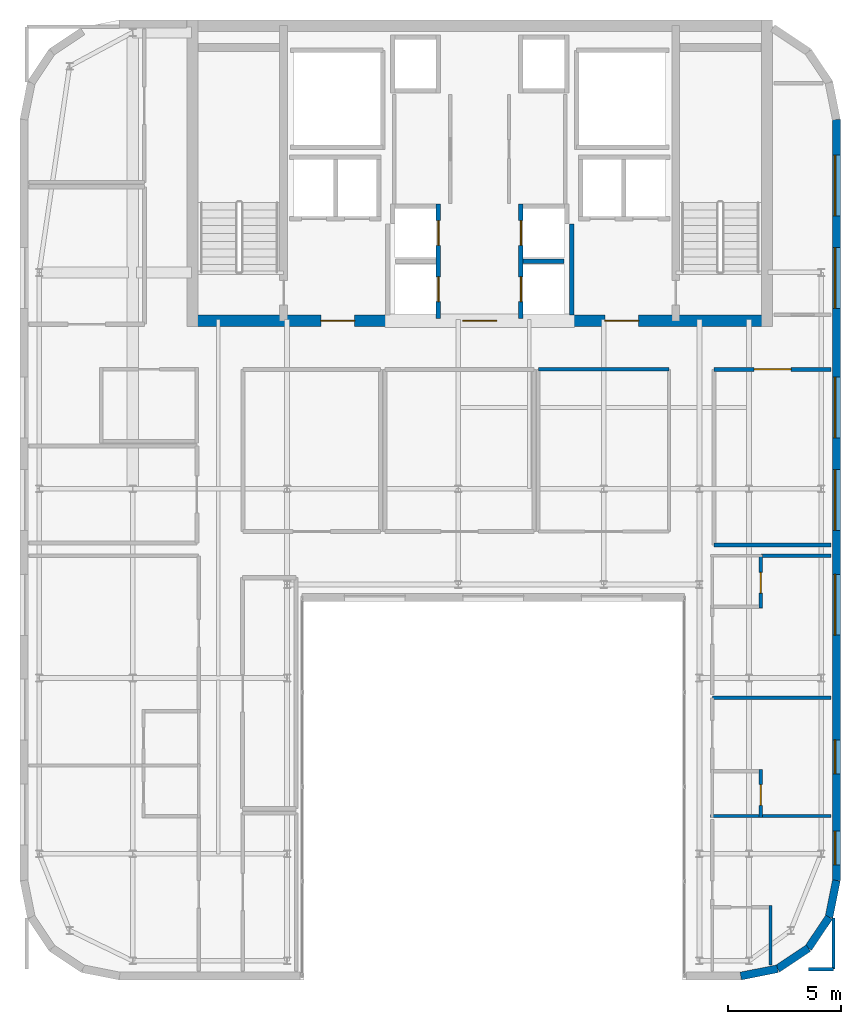
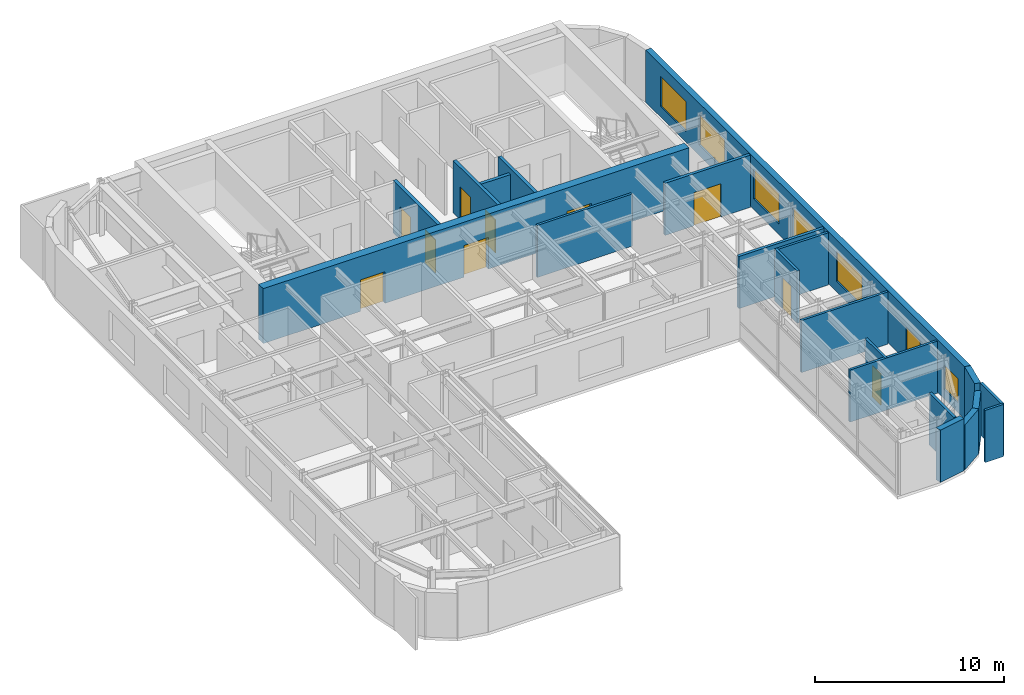
# One storey, part 15 of 18: 21 walls, 10 doors, 7 windows, 17 openings.
"""IFC4 building model written with IfcOpenShell, lengths in metres."""

import ifcopenshell
import ifcopenshell.guid

model = None  # the IFC model being written
_history = None  # IfcOwnerHistory: only IFC2X3 demands one
_inside = {}  # id of a spatial element -> (the spatial element, [elements in it])
_under = {}  # id of a project, library or spatial element -> (it, [spatial elements below it])
_declared = {}  # id of a project -> (the project, [libraries it declares])
_typed = {}  # id of a type object -> (the type object, [elements of that type])
_made_of = {}  # id of a material, layer set ... -> (it, [elements and type objects made of it])


def new_model(schema):
    """Start an empty IFC model of exactly this schema.

    Asked for "IFC4X3", IfcOpenShell would pick the latest addendum, in which some entities
    have other attributes; the version numbers below select the first issue.
    IFC2X3 requires an IfcOwnerHistory on every rooted entity: one is made here for all.
    """
    global model, _history
    if schema == "IFC4X3":
        model = ifcopenshell.file(schema_version=(4, 3, 0, 0))
    else:
        model = ifcopenshell.file(schema=schema)
    _inside.clear()
    _under.clear()
    _declared.clear()
    _typed.clear()
    _made_of.clear()
    _history = None
    if model.schema == "IFC2X3":
        org = make("IfcOrganization", Name="unknown")
        user = make(
            "IfcPersonAndOrganization",
            ThePerson=make("IfcPerson", FamilyName="unknown"),
            TheOrganization=org,
        )
        app = make(
            "IfcApplication",
            ApplicationDeveloper=org,
            Version="unknown",
            ApplicationFullName="unknown",
            ApplicationIdentifier="unknown",
        )
        _history = make(
            "IfcOwnerHistory",
            OwningUser=user,
            OwningApplication=app,
            ChangeAction="ADDED",
            CreationDate=0,
        )
    return model


def make(cls, **values):
    """One entity of the class cls with the attributes given. An attribute that is None is left unset."""
    return model.create_entity(
        cls, **{name: value for name, value in values.items() if value is not None}
    )


def rooted(cls, **values):
    """An entity with a GlobalId (a new one), such as an element, a storey or a relation."""
    return make(cls, GlobalId=ifcopenshell.guid.new(), OwnerHistory=_history, **values)


def si_unit(unit_type, name, prefix=None):
    """IfcSIUnit, for example si_unit("LENGTHUNIT", "METRE", prefix="MILLI")."""
    return make("IfcSIUnit", UnitType=unit_type, Prefix=prefix, Name=name)


def assignment(units):
    """IfcUnitAssignment: the units of a project."""
    return None if units is None else make("IfcUnitAssignment", Units=units)


def point(xyz):
    """IfcCartesianPoint."""
    return None if xyz is None else make("IfcCartesianPoint", Coordinates=xyz)


def direction(xyz):
    """IfcDirection."""
    return None if xyz is None else make("IfcDirection", DirectionRatios=xyz)


def frame(location, z_axis=None, x_axis=None):
    """IfcAxis2Placement3D, a coordinate frame: its origin and axes. An axis left out is left unset."""
    return make(
        "IfcAxis2Placement3D",
        Location=point(location),
        Axis=direction(z_axis),
        RefDirection=direction(x_axis),
    )


def frame_2d(location, x_axis=None):
    """IfcAxis2Placement2D, a coordinate frame in the plane: its origin and x axis."""
    return make(
        "IfcAxis2Placement2D", Location=point(location), RefDirection=direction(x_axis)
    )


def origin():
    """The frame at (0, 0, 0) with its axes left unset."""
    return frame((0.0, 0.0, 0.0))


def place(relative_to, where):
    """IfcLocalPlacement: puts the frame where relative to a parent placement (None: the world)."""
    return make(
        "IfcLocalPlacement", PlacementRelTo=relative_to, RelativePlacement=where
    )


def context(
    kind, dimensions, precision=None, world=None, true_north=None, identifier=None
):
    """IfcGeometricRepresentationContext, for example the 3D "Model" context."""
    return make(
        "IfcGeometricRepresentationContext",
        ContextIdentifier=identifier,
        ContextType=kind,
        CoordinateSpaceDimension=dimensions,
        Precision=precision,
        WorldCoordinateSystem=world,
        TrueNorth=true_north,
    )


def subcontext(parent, identifier, kind, view, scale=None):
    """IfcGeometricRepresentationSubContext, for example "Body" below "Model"."""
    return make(
        "IfcGeometricRepresentationSubContext",
        ContextIdentifier=identifier,
        ContextType=kind,
        ParentContext=parent,
        TargetScale=scale,
        TargetView=view,
    )


def project(units=None, contexts=None):
    """IfcProject with its units and contexts."""
    return rooted(
        "IfcProject",
        Name="project",
        RepresentationContexts=contexts,
        UnitsInContext=assignment(units),
    )


def spatial(cls, under=None, at=None, **own):
    """A site, building, storey or space (cls), placed at a placement, below another one or the project."""
    s = rooted(cls, ObjectPlacement=at, **own)
    if under is not None:
        _under.setdefault(under.id(), (under, []))[1].append(s)
    return s


def profile(cls, at=None, kind="AREA", **sizes):
    """A parametric profile (cls). Its sizes go by their IFC names, for example OverallWidth=200.0."""
    return make(cls, ProfileType=kind, Position=at, **sizes)


def rectangle(**sizes):
    """IfcRectangleProfileDef."""
    return profile("IfcRectangleProfileDef", **sizes)


def extrude(swept, where, along, depth):
    """IfcExtrudedAreaSolid: the profile swept, set in the frame where, extruded along a direction by depth."""
    return make(
        "IfcExtrudedAreaSolid",
        SweptArea=swept,
        Position=where,
        ExtrudedDirection=direction(along),
        Depth=depth,
    )


def shape(context_of_items, identifier, shape_type, items):
    """IfcShapeRepresentation: the items that make up one representation, for example the "Body"."""
    return make(
        "IfcShapeRepresentation",
        ContextOfItems=context_of_items,
        RepresentationIdentifier=identifier,
        RepresentationType=shape_type,
        Items=items,
    )


def source(mapping_origin, context_of_items, identifier, shape_type, items):
    """IfcRepresentationMap: a shape defined once, which mapped items show again and again."""
    return make(
        "IfcRepresentationMap",
        MappingOrigin=mapping_origin,
        MappedRepresentation=shape(context_of_items, identifier, shape_type, items),
    )


def transform(
    local_origin,
    x_axis=None,
    y_axis=None,
    z_axis=None,
    scale=None,
    scale2=None,
    scale3=None,
    uniform=True,
):
    """IfcCartesianTransformationOperator3D, or its non-uniform kind. x_axis, y_axis, z_axis: its Axis1, 2, 3."""
    if uniform:
        return make(
            "IfcCartesianTransformationOperator3D",
            Axis1=direction(x_axis),
            Axis2=direction(y_axis),
            LocalOrigin=point(local_origin),
            Scale=scale,
            Axis3=direction(z_axis),
        )
    return make(
        "IfcCartesianTransformationOperator3DnonUniform",
        Axis1=direction(x_axis),
        Axis2=direction(y_axis),
        LocalOrigin=point(local_origin),
        Scale=scale,
        Axis3=direction(z_axis),
        Scale2=scale2,
        Scale3=scale3,
    )


def mapped(mapping_source, mapping_target):
    """IfcMappedItem: shows the shape of a source again, moved by a transform."""
    return make(
        "IfcMappedItem", MappingSource=mapping_source, MappingTarget=mapping_target
    )


def material(Name=None, Category=None):
    """IfcMaterial."""
    return make("IfcMaterial", Name=Name, Category=Category)


def layer(
    of_material, thickness, ventilated=None, Name=None, Category=None, Priority=None
):
    """IfcMaterialLayer: one layer of a wall or slab, of a material (None: an air gap)."""
    return make(
        "IfcMaterialLayer",
        Material=of_material,
        LayerThickness=thickness,
        IsVentilated=ventilated,
        Name=Name,
        Category=Category,
        Priority=Priority,
    )


def layer_set(layers, Name=None):
    """IfcMaterialLayerSet."""
    return make("IfcMaterialLayerSet", MaterialLayers=layers, LayerSetName=Name)


def made_of(thing, what):
    """Note that an element or type object is made of a material, layer set ...; save() writes the relation."""
    if what is not None:
        _made_of.setdefault(what.id(), (what, []))[1].append(thing)
    return thing


def type_object(cls, material=None, **own):
    """A type object (cls), such as IfcWallType, which elements share."""
    return made_of(rooted(cls, **own), material)


def type_shapes(of_type, sources):
    """Give a type object the sources (RepresentationMaps) that its elements show as mapped items."""
    of_type.RepresentationMaps = sources


def element(
    cls,
    number,
    at=None,
    inside=None,
    cuts=None,
    type_object=None,
    material=None,
    context=None,
    identifier="Body",
    shape_type=None,
    held_by="IfcProductDefinitionShape",
    body=None,
    shapes=None,
    **own,
):
    """One element of the class cls, such as IfcWall. Its Tag is "e" and its number.

    at: its placement. inside: the storey or other place that contains it. cuts: it is an
    opening in that element (IfcRelVoidsElement). A single representation is given by context,
    identifier, shape_type and body (its items); several are given by shapes. held_by: the class
    of the entity that holds the representations. save() writes the other relations.
    """
    e = rooted(cls, Tag="e%d" % number, ObjectPlacement=at, **own)
    if body is not None:
        shapes = [shape(context, identifier, shape_type, body)]
    if shapes is not None:
        e.Representation = make(held_by, Representations=shapes)
    if inside is not None:
        _inside.setdefault(inside.id(), (inside, []))[1].append(e)
    if cuts is not None:
        rooted(
            "IfcRelVoidsElement", RelatingBuildingElement=cuts, RelatedOpeningElement=e
        )
    if type_object is not None:
        _typed.setdefault(type_object.id(), (type_object, []))[1].append(e)
    return made_of(e, material)


def fill(opening, filler):
    """IfcRelFillsElement: the door or window that sits in an opening."""
    return rooted(
        "IfcRelFillsElement",
        RelatingOpeningElement=opening,
        RelatedBuildingElement=filler,
    )


def aggregate(whole, parts):
    """IfcRelAggregates: a whole, such as a stair, and the parts it consists of."""
    return rooted("IfcRelAggregates", RelatingObject=whole, RelatedObjects=parts)


def save(model, path):
    """Write the relations noted so far, then the file.

    IfcRelAggregates (storeys below a building ...), IfcRelContainedInSpatialStructure (elements
    in a storey), IfcRelDefinesByType, IfcRelAssociatesMaterial and IfcRelDeclares: one each for
    every whole, place, type object, material and project.
    """
    for whole, parts in _under.values():
        aggregate(whole, parts)
    for where, things in _inside.values():
        rooted(
            "IfcRelContainedInSpatialStructure",
            RelatedElements=things,
            RelatingStructure=where,
        )
    for kind, things in _typed.values():
        rooted("IfcRelDefinesByType", RelatedObjects=things, RelatingType=kind)
    for what, things in _made_of.values():
        rooted("IfcRelAssociatesMaterial", RelatedObjects=things, RelatingMaterial=what)
    for by, libraries in _declared.values():
        rooted("IfcRelDeclares", RelatingContext=by, RelatedDefinitions=libraries)
    model.write(path)


model = new_model("IFC4")

# Units and contexts
model_context = context("Model", 3, precision=1e-05, world=origin(), true_north=direction((0.0, 1.0)))
body_context = subcontext(model_context, "Body", "Model", "MODEL_VIEW")
ifc_project = project(units=[si_unit("LENGTHUNIT", "METRE"), si_unit("AREAUNIT", "SQUARE_METRE"), si_unit("VOLUMEUNIT", "CUBIC_METRE"), si_unit("PLANEANGLEUNIT", "RADIAN"), si_unit("MASSUNIT", "GRAM", prefix="KILO")], contexts=[model_context])

# Site, building, storey
site_placement = place(None, origin())
site = spatial("IfcSite", under=ifc_project, at=site_placement, CompositionType="ELEMENT")
building_placement = place(site_placement, origin())
building = spatial("IfcBuilding", under=site, at=building_placement, Name="Tolvann Quenvar Hotel", CompositionType="ELEMENT")
storey_placement = place(building_placement, frame((0.0, 0.0, 259.39990234375)))
storey = spatial("IfcBuildingStorey", under=building, at=storey_placement, Name="L69", CompositionType="ELEMENT", Elevation=259.39990234375)

# Wall, openings, doors
ifc_material_1 = material(Name="Concrete N50 (50 MPa)", Category="concrete")
ifc_layer_1 = layer(ifc_material_1, 0.5)
ifc_layer_set_1 = layer_set([ifc_layer_1], Name="Concrete N50 (50 MPa)")
wall_type_1 = type_object("IfcWallType", Name="WALL_CORE_500", PredefinedType="SHEAR", material=ifc_layer_set_1)
wall_1_placement = place(storey_placement, frame((10.0, 31.85009765625, 0.0), z_axis=(0.0, 0.0, 1.0), x_axis=(1.0, 0.0, 0.0)))
wall_1 = element("IfcWall", 1, at=wall_1_placement, inside=storey, type_object=wall_type_1, Name="Rear Core S Shear Wall (L69)", PredefinedType="SHEAR", context=body_context, shape_type="SweptSolid", body=[
    extrude(rectangle(XDim=26.0, YDim=0.5, at=frame_2d((13.0, 0.0))), origin(), (0.0, 0.0, 1.0), 3.550048828125),
])
opening_1_placement = place(wall_1_placement, frame((7.449951171875, 0.0, 0.0), z_axis=(0.0, 0.0, 1.0), x_axis=(-1.0, 0.0, 0.0)))
opening_1 = element("IfcOpeningElement", 2, at=opening_1_placement, cuts=wall_1, Name="Opening FD-60D", PredefinedType="OPENING", context=body_context, shape_type="SweptSolid", body=[
    extrude(rectangle(XDim=1.5, YDim=2.0400390625, at=frame_2d((0.75, 1.02001953125))), frame((0.0, 0.260009765625, 0.0), z_axis=(0.0, -1.0, 0.0), x_axis=(1.0, 0.0, 0.0)), (0.0, 0.0, 1.0), 0.52001953125),
])
opening_2_placement = place(wall_1_placement, frame((13.75, 0.0, 0.0), z_axis=(0.0, 0.0, 1.0), x_axis=(-1.0, 0.0, 0.0)))
opening_2 = element("IfcOpeningElement", 3, at=opening_2_placement, cuts=wall_1, Name="Opening FD-60D", PredefinedType="OPENING", context=body_context, shape_type="SweptSolid", body=[
    extrude(rectangle(XDim=1.5, YDim=2.0400390625, at=frame_2d((0.75, 1.02001953125))), frame((0.0, 0.260009765625, 0.0), z_axis=(0.0, -1.0, 0.0), x_axis=(1.0, 0.0, 0.0)), (0.0, 0.0, 1.0), 0.52001953125),
])
opening_3_placement = place(wall_1_placement, frame((20.050048828125, 0.0, 0.0), z_axis=(0.0, 0.0, 1.0), x_axis=(-1.0, 0.0, 0.0)))
opening_3 = element("IfcOpeningElement", 4, at=opening_3_placement, cuts=wall_1, Name="Opening FD-60D", PredefinedType="OPENING", context=body_context, shape_type="SweptSolid", body=[
    extrude(rectangle(XDim=1.5, YDim=2.0400390625, at=frame_2d((0.75, 1.02001953125))), frame((0.0, 0.260009765625, 0.0), z_axis=(0.0, -1.0, 0.0), x_axis=(1.0, 0.0, 0.0)), (0.0, 0.0, 1.0), 0.52001953125),
])
ifc_material_2 = material(Name="Solid-core American oak acoustic fire door leaf in steel frame", Category="steel")
door_type_1 = type_object("IfcDoorType", Name="DOOR_FIRE_LOBBY_1500", OperationType="NOTDEFINED", PredefinedType="DOOR", material=ifc_material_2)
shared_shape_1 = source(origin(), body_context, "Body", "SweptSolid", [
    extrude(rectangle(XDim=1.5, YDim=2.0400390625, at=frame_2d((0.75, 1.02001953125))), frame((0.0, 0.02490234375, 0.0), z_axis=(0.0, -1.0, 0.0), x_axis=(1.0, 0.0, 0.0)), (0.0, 0.0, 1.0), 0.050048828125),
])
type_shapes(door_type_1, [shared_shape_1])
door_1_placement = place(opening_1_placement, origin())
door_1 = element("IfcDoor", 5, at=door_1_placement, inside=storey, type_object=door_type_1, Name="Core Lobby Fire Door FFW (L69)", OperationType="DOUBLE_DOOR_SINGLE_SWING", OverallHeight=2.0400390625, OverallWidth=1.5, PredefinedType="DOOR", context=body_context, shape_type="MappedRepresentation", body=[
    mapped(shared_shape_1, transform((0.0, 0.0, 0.0), x_axis=(1.0, 0.0, 0.0), y_axis=(0.0, 1.0, 0.0), z_axis=(0.0, 0.0, 1.0), scale=1.0)),
])
fill(opening_1, door_1)
door_2_placement = place(opening_2_placement, origin())
door_2 = element("IfcDoor", 6, at=door_2_placement, inside=storey, type_object=door_type_1, Name="Core Lobby Fire Door CLOB (L69)", OperationType="DOUBLE_DOOR_SINGLE_SWING", OverallHeight=2.0400390625, OverallWidth=1.5, PredefinedType="DOOR", context=body_context, shape_type="MappedRepresentation", body=[
    mapped(shared_shape_1, transform((0.0, 0.0, 0.0), x_axis=(1.0, 0.0, 0.0), y_axis=(0.0, 1.0, 0.0), z_axis=(0.0, 0.0, 1.0), scale=1.0)),
])
fill(opening_2, door_2)
door_3_placement = place(opening_3_placement, origin())
door_3 = element("IfcDoor", 7, at=door_3_placement, inside=storey, type_object=door_type_1, Name="Core Lobby Fire Door FFE (L69)", OperationType="DOUBLE_DOOR_SINGLE_SWING", OverallHeight=2.0400390625, OverallWidth=1.5, PredefinedType="DOOR", context=body_context, shape_type="MappedRepresentation", body=[
    mapped(shared_shape_1, transform((0.0, 0.0, 0.0), x_axis=(1.0, 0.0, 0.0), y_axis=(0.0, 1.0, 0.0), z_axis=(0.0, 0.0, 1.0), scale=1.0)),
])
fill(opening_3, door_3)

# Walls
ifc_material_3 = material(Name="Kiln-fired red and buff architectural clay brickwork and terracotta masonry", Category="masonry")
ifc_layer_2 = layer(ifc_material_3, 0.35009765625)
ifc_layer_set_2 = layer_set([ifc_layer_2], Name="Kiln-fired red and buff architectural clay brickwork and terracotta masonry")
wall_type_2 = type_object("IfcWallType", Name="WALL_EXT_BRICK_350", PredefinedType="SOLIDWALL", material=ifc_layer_set_2)
wall_2_placement = place(storey_placement, frame((34.582763671875, 2.77490234375, 0.0), z_axis=(0.0, 0.0, 1.0), x_axis=(0.980794424524, 0.195044345786, 0.0)))
element("IfcWall", 8, at=wall_2_placement, inside=storey, type_object=wall_type_2, Name="Exterior Chicago Brick Wall L69-E09", PredefinedType="SOLIDWALL", context=body_context, shape_type="SweptSolid", body=[
    extrude(rectangle(XDim=1.664794921875, YDim=0.35009765625, at=frame_2d((0.83251953125, 0.0))), origin(), (0.0, 0.0, 1.0), 3.3701171875),
])
for number, where, z_axis, x_axis, name in (
    (9, (36.215576171875, 3.099609375, 0.0), (0.0, 0.0, 1.0), (0.831434158098, 0.555623290322, 0.0), "Exterior Chicago Brick Wall L69-E10"),
    (10, (37.585205078125, 4.014892578125, 0.0), (0.0, 0.0, 1.0), (0.555520825599, 0.831502623162, 0.0), "Exterior Chicago Brick Wall L69-E11"),
):
    element("IfcWall", number, at=place(storey_placement, frame(where, z_axis=z_axis, x_axis=x_axis)), inside=storey, type_object=wall_type_2, Name=name, PredefinedType="SOLIDWALL", context=body_context, shape_type="SweptSolid", body=[
        extrude(rectangle(XDim=1.647216796875, YDim=0.35009765625, at=frame_2d((0.82373046875, 0.0))), origin(), (0.0, 0.0, 1.0), 2.900146484375),
    ])
wall_3_placement = place(storey_placement, frame((38.500244140625, 5.384521484375, 0.0), z_axis=(0.0, 0.0, 1.0), x_axis=(0.195072403631, 0.980788844421, 0.0)))
element("IfcWall", 11, at=wall_3_placement, inside=storey, type_object=wall_type_2, Name="Exterior Chicago Brick Wall L69-E12", PredefinedType="SOLIDWALL", context=body_context, shape_type="SweptSolid", body=[
    extrude(rectangle(XDim=1.66455078125, YDim=0.35009765625, at=frame_2d((0.832275390625, 0.0))), origin(), (0.0, 0.0, 1.0), 3.3701171875),
])

# Wall, openings, windows
wall_4_placement = place(storey_placement, frame((38.824951171875, 7.01708984375, 0.0), z_axis=(0.0, 0.0, 1.0), x_axis=(0.0, 1.0, 0.0)))
wall_4 = element("IfcWall", 12, at=wall_4_placement, inside=storey, type_object=wall_type_2, Name="Exterior Chicago Brick Wall L69-E13", PredefinedType="SOLIDWALL", context=body_context, shape_type="SweptSolid", body=[
    extrude(rectangle(XDim=33.765625, YDim=0.35009765625, at=frame_2d((16.8828125, 0.0))), origin(), (0.0, 0.0, 1.0), 3.3701171875),
])
opening_4_placement = place(wall_4_placement, frame((10.881103515625, 0.0, 0.679931640625)))
opening_4 = element("IfcOpeningElement", 13, at=opening_4_placement, cuts=wall_4, Name="Opening W-04", PredefinedType="OPENING", context=body_context, shape_type="SweptSolid", body=[
    extrude(rectangle(XDim=2.699951171875, YDim=1.949951171875, at=frame_2d((1.35009765625, 0.97509765625))), frame((0.0, 0.18505859375, 0.0), z_axis=(0.0, -1.0, 0.0), x_axis=(1.0, 0.0, 0.0)), (0.0, 0.0, 1.0), 0.3701171875),
])
opening_5_placement = place(wall_4_placement, frame((15.532958984375, 0.0, 0.679931640625)))
opening_5 = element("IfcOpeningElement", 14, at=opening_5_placement, cuts=wall_4, Name="Opening W-04", PredefinedType="OPENING", context=body_context, shape_type="SweptSolid", body=[
    extrude(rectangle(XDim=2.699951171875, YDim=1.949951171875, at=frame_2d((1.35009765625, 0.97509765625))), frame((0.0, 0.18505859375, 0.0), z_axis=(0.0, -1.0, 0.0), x_axis=(1.0, 0.0, 0.0)), (0.0, 0.0, 1.0), 0.3701171875),
])
opening_6_placement = place(wall_4_placement, frame((19.635009765625, 0.0, 0.679931640625)))
opening_6 = element("IfcOpeningElement", 15, at=opening_6_placement, cuts=wall_4, Name="Opening W-04", PredefinedType="OPENING", context=body_context, shape_type="SweptSolid", body=[
    extrude(rectangle(XDim=2.699951171875, YDim=1.949951171875, at=frame_2d((1.35009765625, 0.97509765625))), frame((0.0, 0.18505859375, 0.0), z_axis=(0.0, -1.0, 0.0), x_axis=(1.0, 0.0, 0.0)), (0.0, 0.0, 1.0), 0.3701171875),
])
opening_7_placement = place(wall_4_placement, frame((25.386962890625, 0.0, 0.679931640625)))
opening_7 = element("IfcOpeningElement", 16, at=opening_7_placement, cuts=wall_4, Name="Opening W-04", PredefinedType="OPENING", context=body_context, shape_type="SweptSolid", body=[
    extrude(rectangle(XDim=2.699951171875, YDim=1.949951171875, at=frame_2d((1.35009765625, 0.97509765625))), frame((0.0, 0.18505859375, 0.0), z_axis=(0.0, -1.0, 0.0), x_axis=(1.0, 0.0, 0.0)), (0.0, 0.0, 1.0), 0.3701171875),
])
opening_8_placement = place(wall_4_placement, frame((29.489013671875, 0.0, 0.679931640625)))
opening_8 = element("IfcOpeningElement", 17, at=opening_8_placement, cuts=wall_4, Name="Opening W-04", PredefinedType="OPENING", context=body_context, shape_type="SweptSolid", body=[
    extrude(rectangle(XDim=2.699951171875, YDim=1.949951171875, at=frame_2d((1.35009765625, 0.97509765625))), frame((0.0, 0.18505859375, 0.0), z_axis=(0.0, -1.0, 0.0), x_axis=(1.0, 0.0, 0.0)), (0.0, 0.0, 1.0), 0.3701171875),
])
opening_9_placement = place(wall_4_placement, frame((0.68603515625, 0.0, 0.6201171875)))
opening_9 = element("IfcOpeningElement", 18, at=opening_9_placement, cuts=wall_4, Name="Opening W-08", PredefinedType="OPENING", context=body_context, shape_type="SweptSolid", body=[
    extrude(rectangle(XDim=1.5, YDim=1.550048828125, at=frame_2d((0.75, 0.77490234375))), frame((0.0, 0.18505859375, 0.0), z_axis=(0.0, -1.0, 0.0), x_axis=(1.0, 0.0, 0.0)), (0.0, 0.0, 1.0), 0.3701171875),
])
opening_10_placement = place(wall_4_placement, frame((4.73291015625, 0.0, 0.6201171875)))
opening_10 = element("IfcOpeningElement", 19, at=opening_10_placement, cuts=wall_4, Name="Opening W-08", PredefinedType="OPENING", context=body_context, shape_type="SweptSolid", body=[
    extrude(rectangle(XDim=1.5, YDim=1.550048828125, at=frame_2d((0.75, 0.77490234375))), frame((0.0, 0.18505859375, 0.0), z_axis=(0.0, -1.0, 0.0), x_axis=(1.0, 0.0, 0.0)), (0.0, 0.0, 1.0), 0.3701171875),
])
ifc_material_4 = material(Name="Thermally broken bronze-anodised aluminium frame with double low-E glazing", Category="aluminium")
window_type_1 = type_object("IfcWindowType", Name="WIN_COR_1500x2050", PartitioningType="SINGLE_PANEL", PredefinedType="WINDOW", material=ifc_material_4)
shared_shape_2 = source(origin(), body_context, "Body", "SweptSolid", [
    extrude(rectangle(XDim=1.5, YDim=1.550048828125, at=frame_2d((0.75, 0.77490234375))), frame((0.0, 0.090087890625, 0.0), z_axis=(0.0, -1.0, 0.0), x_axis=(1.0, 0.0, 0.0)), (0.0, 0.0, 1.0), 0.06005859375),
])
type_shapes(window_type_1, [shared_shape_2])
window_1_placement = place(opening_9_placement, origin())
window_1 = element("IfcWindow", 20, at=window_1_placement, inside=storey, type_object=window_type_1, Name="Chicago Window W-08 (EW-L69-E13-WD06)", OverallHeight=1.550048828125, OverallWidth=1.5, PartitioningType="SINGLE_PANEL", PredefinedType="WINDOW", context=body_context, shape_type="MappedRepresentation", body=[
    mapped(shared_shape_2, transform((0.0, 0.0, 0.0), x_axis=(1.0, 0.0, 0.0), y_axis=(0.0, 1.0, 0.0), z_axis=(0.0, 0.0, 1.0), scale=1.0)),
])
fill(opening_9, window_1)
window_2_placement = place(opening_10_placement, origin())
window_2 = element("IfcWindow", 21, at=window_2_placement, inside=storey, type_object=window_type_1, Name="Chicago Window W-08 (EW-L69-E13-WD07)", OverallHeight=1.550048828125, OverallWidth=1.5, PartitioningType="SINGLE_PANEL", PredefinedType="WINDOW", context=body_context, shape_type="MappedRepresentation", body=[
    mapped(shared_shape_2, transform((0.0, 0.0, 0.0), x_axis=(1.0, 0.0, 0.0), y_axis=(0.0, 1.0, 0.0), z_axis=(0.0, 0.0, 1.0), scale=1.0)),
])
fill(opening_10, window_2)
window_type_2 = type_object("IfcWindowType", Name="WIN_STE_2700x2150", PartitioningType="TRIPLE_PANEL_HORIZONTAL", PredefinedType="WINDOW", material=ifc_material_4)
shared_shape_3 = source(origin(), body_context, "Body", "SweptSolid", [
    extrude(rectangle(XDim=2.699951171875, YDim=1.949951171875, at=frame_2d((1.35009765625, 0.97509765625))), frame((0.0, 0.090087890625, 0.0), z_axis=(0.0, -1.0, 0.0), x_axis=(1.0, 0.0, 0.0)), (0.0, 0.0, 1.0), 0.06005859375),
])
type_shapes(window_type_2, [shared_shape_3])
window_3_placement = place(opening_4_placement, origin())
window_3 = element("IfcWindow", 22, at=window_3_placement, inside=storey, type_object=window_type_2, Name="Chicago Window W-04 (EW-L69-E13-W01)", OverallHeight=1.949951171875, OverallWidth=2.699951171875, PartitioningType="TRIPLE_PANEL_HORIZONTAL", PredefinedType="WINDOW", context=body_context, shape_type="MappedRepresentation", body=[
    mapped(shared_shape_3, transform((0.0, 0.0, 0.0), x_axis=(1.0, 0.0, 0.0), y_axis=(0.0, 1.0, 0.0), z_axis=(0.0, 0.0, 1.0), scale=1.0)),
])
fill(opening_4, window_3)
window_4_placement = place(opening_5_placement, origin())
window_4 = element("IfcWindow", 23, at=window_4_placement, inside=storey, type_object=window_type_2, Name="Chicago Window W-04 (EW-L69-E13-W02)", OverallHeight=1.949951171875, OverallWidth=2.699951171875, PartitioningType="TRIPLE_PANEL_HORIZONTAL", PredefinedType="WINDOW", context=body_context, shape_type="MappedRepresentation", body=[
    mapped(shared_shape_3, transform((0.0, 0.0, 0.0), x_axis=(1.0, 0.0, 0.0), y_axis=(0.0, 1.0, 0.0), z_axis=(0.0, 0.0, 1.0), scale=1.0)),
])
fill(opening_5, window_4)
window_5_placement = place(opening_6_placement, origin())
window_5 = element("IfcWindow", 24, at=window_5_placement, inside=storey, type_object=window_type_2, Name="Chicago Window W-04 (EW-L69-E13-W03)", OverallHeight=1.949951171875, OverallWidth=2.699951171875, PartitioningType="TRIPLE_PANEL_HORIZONTAL", PredefinedType="WINDOW", context=body_context, shape_type="MappedRepresentation", body=[
    mapped(shared_shape_3, transform((0.0, 0.0, 0.0), x_axis=(1.0, 0.0, 0.0), y_axis=(0.0, 1.0, 0.0), z_axis=(0.0, 0.0, 1.0), scale=1.0)),
])
fill(opening_6, window_5)
window_6_placement = place(opening_7_placement, origin())
window_6 = element("IfcWindow", 25, at=window_6_placement, inside=storey, type_object=window_type_2, Name="Chicago Window W-04 (EW-L69-E13-W04)", OverallHeight=1.949951171875, OverallWidth=2.699951171875, PartitioningType="TRIPLE_PANEL_HORIZONTAL", PredefinedType="WINDOW", context=body_context, shape_type="MappedRepresentation", body=[
    mapped(shared_shape_3, transform((0.0, 0.0, 0.0), x_axis=(1.0, 0.0, 0.0), y_axis=(0.0, 1.0, 0.0), z_axis=(0.0, 0.0, 1.0), scale=1.0)),
])
fill(opening_7, window_6)
window_7_placement = place(opening_8_placement, origin())
window_7 = element("IfcWindow", 26, at=window_7_placement, inside=storey, type_object=window_type_2, Name="Chicago Window W-04 (EW-L69-E13-W05)", OverallHeight=1.949951171875, OverallWidth=2.699951171875, PartitioningType="TRIPLE_PANEL_HORIZONTAL", PredefinedType="WINDOW", context=body_context, shape_type="MappedRepresentation", body=[
    mapped(shared_shape_3, transform((0.0, 0.0, 0.0), x_axis=(1.0, 0.0, 0.0), y_axis=(0.0, 1.0, 0.0), z_axis=(0.0, 0.0, 1.0), scale=1.0)),
])
fill(opening_8, window_7)

# Wall
ifc_material_5 = material(Name="Acoustic twin-stud fire-rated gypsum plasterboard partition")
ifc_layer_3 = layer(ifc_material_5, 0.179931640625)
ifc_layer_set_3 = layer_set([ifc_layer_3], Name="Acoustic twin-stud fire-rated gypsum plasterboard partition")
wall_type_3 = type_object("IfcWallType", Name="WALL_PART_ACOUSTIC_180", PredefinedType="PARTITIONING", material=ifc_layer_set_3)
wall_5_placement = place(storey_placement, frame((33.39990234375, 21.89990234375, 0.0), z_axis=(0.0, 0.0, 1.0), x_axis=(1.0, 0.0, 0.0)))
element("IfcWall", 27, at=wall_5_placement, inside=storey, type_object=wall_type_3, Name="Interior Partition PT-SPC-L69-PNE1-S", PredefinedType="PARTITIONING", context=body_context, shape_type="SweptSolid", body=[
    extrude(rectangle(XDim=5.195068359375, YDim=0.179931640625, at=frame_2d((2.59765625, 0.0))), origin(), (0.0, 0.0, 1.0), 3.3701171875),
])

# Wall, opening, door
wall_6_placement = place(storey_placement, frame((33.39990234375, 29.699951171875, 0.0), z_axis=(0.0, 0.0, 1.0), x_axis=(1.0, 0.0, 0.0)))
wall_6 = element("IfcWall", 28, at=wall_6_placement, inside=storey, type_object=wall_type_3, Name="Interior Partition PT-SPC-L69-PNE1-N", PredefinedType="PARTITIONING", context=body_context, shape_type="SweptSolid", body=[
    extrude(rectangle(XDim=5.195068359375, YDim=0.179931640625, at=frame_2d((2.59765625, 0.0))), origin(), (0.0, 0.0, 1.0), 3.3701171875),
])
opening_11_placement = place(wall_6_placement, frame((1.7724609375, 0.0, 0.0)))
opening_11 = element("IfcOpeningElement", 29, at=opening_11_placement, cuts=wall_6, Name="Opening AD-01", PredefinedType="OPENING", context=body_context, shape_type="SweptSolid", body=[
    extrude(rectangle(XDim=1.64990234375, YDim=2.14990234375, at=frame_2d((0.824951171875, 1.074951171875))), frame((0.0, 0.10009765625, 0.0), z_axis=(0.0, -1.0, 0.0), x_axis=(1.0, 0.0, 0.0)), (0.0, 0.0, 1.0), 0.199951171875),
])
door_type_2 = type_object("IfcDoorType", Name="DOOR_SALON_1650", OperationType="NOTDEFINED", PredefinedType="DOOR", material=ifc_material_2)
shared_shape_4 = source(origin(), body_context, "Body", "SweptSolid", [
    extrude(rectangle(XDim=1.64990234375, YDim=2.14990234375, at=frame_2d((0.824951171875, 1.074951171875))), frame((0.0, 0.02490234375, 0.0), z_axis=(0.0, -1.0, 0.0), x_axis=(1.0, 0.0, 0.0)), (0.0, 0.0, 1.0), 0.050048828125),
])
type_shapes(door_type_2, [shared_shape_4])
door_4_placement = place(opening_11_placement, origin())
door_4 = element("IfcDoor", 30, at=door_4_placement, inside=storey, type_object=door_type_2, Name="Interior Door DOOR-SPC-L69-PNE1", OperationType="DOUBLE_DOOR_SINGLE_SWING", OverallHeight=2.14990234375, OverallWidth=1.64990234375, PredefinedType="DOOR", context=body_context, shape_type="MappedRepresentation", body=[
    mapped(shared_shape_4, transform((0.0, 0.0, 0.0), x_axis=(1.0, 0.0, 0.0), y_axis=(0.0, 1.0, 0.0), z_axis=(0.0, 0.0, 1.0), scale=1.0)),
])
fill(opening_11, door_4)

# Wall
ifc_layer_4 = layer(ifc_material_5, 0.14990234375)
ifc_layer_set_4 = layer_set([ifc_layer_4], Name="Acoustic twin-stud fire-rated gypsum plasterboard partition")
wall_type_4 = type_object("IfcWallType", Name="WALL_PART_SUITE_150", PredefinedType="PARTITIONING", material=ifc_layer_set_4)
wall_7_placement = place(storey_placement, frame((35.902099609375, 3.27197265625, 0.0), z_axis=(0.0, 0.0, 1.0), x_axis=(0.0, 1.0, 0.0)))
element("IfcWall", 31, at=wall_7_placement, inside=storey, type_object=wall_type_4, Name="Interior Partition PT-SPC-L69-ENS-PE01-ENT", PredefinedType="PARTITIONING", context=body_context, shape_type="SweptSolid", body=[
    extrude(rectangle(XDim=2.6279296875, YDim=0.14990234375, at=frame_2d((1.31396484375, 0.0))), origin(), (0.0, 0.0, 1.0), 3.3701171875),
])

# Wall, opening, door
wall_8_placement = place(storey_placement, frame((35.469970703125, 9.81005859375, 0.0), z_axis=(0.0, 0.0, 1.0), x_axis=(0.0, 1.0, 0.0)))
wall_8 = element("IfcWall", 32, at=wall_8_placement, inside=storey, type_object=wall_type_4, Name="Interior Partition PT-SPC-L69-ENS-PE02-ENT", PredefinedType="PARTITIONING", context=body_context, shape_type="SweptSolid", body=[
    extrude(rectangle(XDim=2.130859375, YDim=0.14990234375, at=frame_2d((1.0654296875, 0.0))), origin(), (0.0, 0.0, 1.0), 3.3701171875),
])
opening_12_placement = place(wall_8_placement, frame((0.535400390625, 0.0, 0.0)))
opening_12 = element("IfcOpeningElement", 33, at=opening_12_placement, cuts=wall_8, Name="Opening WD-01", PredefinedType="OPENING", context=body_context, shape_type="SweptSolid", body=[
    extrude(rectangle(XDim=0.919921875, YDim=2.010009765625, at=frame_2d((0.4599609375, 1.0048828125))), frame((0.0, 0.0849609375, 0.0), z_axis=(0.0, -1.0, 0.0), x_axis=(1.0, 0.0, 0.0)), (0.0, 0.0, 1.0), 0.169921875),
])
door_type_3 = type_object("IfcDoorType", Name="DOOR_WC_920", OperationType="NOTDEFINED", PredefinedType="DOOR", material=ifc_material_2)
shared_shape_5 = source(origin(), body_context, "Body", "SweptSolid", [
    extrude(rectangle(XDim=0.919921875, YDim=2.010009765625, at=frame_2d((0.4599609375, 1.0048828125))), frame((0.0, 0.02490234375, 0.0), z_axis=(0.0, -1.0, 0.0), x_axis=(1.0, 0.0, 0.0)), (0.0, 0.0, 1.0), 0.050048828125),
])
type_shapes(door_type_3, [shared_shape_5])
door_5_placement = place(opening_12_placement, origin())
door_5 = element("IfcDoor", 34, at=door_5_placement, inside=storey, type_object=door_type_3, Name="Interior Door DOOR-SPC-L69-ENS-PE02", OperationType="SINGLE_SWING_LEFT", OverallHeight=2.010009765625, OverallWidth=0.919921875, PredefinedType="DOOR", context=body_context, shape_type="MappedRepresentation", body=[
    mapped(shared_shape_5, transform((0.0, 0.0, 0.0), x_axis=(1.0, 0.0, 0.0), y_axis=(0.0, 1.0, 0.0), z_axis=(0.0, 0.0, 1.0), scale=1.0)),
])
fill(opening_12, door_5)

# Wall
wall_9_placement = place(storey_placement, frame((33.25, 9.8798828125, 0.0), z_axis=(0.0, 0.0, 1.0), x_axis=(1.0, 0.0, 0.0)))
element("IfcWall", 35, at=wall_9_placement, inside=storey, type_object=wall_type_4, Name="Interior Partition PT-SPC-L69-ENS-PE02-S", PredefinedType="PARTITIONING", context=body_context, shape_type="SweptSolid", body=[
    extrude(rectangle(XDim=5.344970703125, YDim=0.14990234375, at=frame_2d((2.67236328125, 0.0))), origin(), (0.0, 0.0, 1.0), 3.3701171875),
])

# Wall, opening, door
wall_10_placement = place(storey_placement, frame((35.469970703125, 19.10009765625, 0.0), z_axis=(0.0, 0.0, 1.0), x_axis=(0.0, 1.0, 0.0)))
wall_10 = element("IfcWall", 36, at=wall_10_placement, inside=storey, type_object=wall_type_4, Name="Interior Partition PT-SPC-L69-ENS-PE03-ENT", PredefinedType="PARTITIONING", context=body_context, shape_type="SweptSolid", body=[
    extrude(rectangle(XDim=2.389892578125, YDim=0.14990234375, at=frame_2d((1.19482421875, 0.0))), origin(), (0.0, 0.0, 1.0), 3.3701171875),
])
opening_13_placement = place(wall_10_placement, frame((0.6650390625, 0.0, 0.0)))
opening_13 = element("IfcOpeningElement", 37, at=opening_13_placement, cuts=wall_10, Name="Opening WD-01", PredefinedType="OPENING", context=body_context, shape_type="SweptSolid", body=[
    extrude(rectangle(XDim=0.919921875, YDim=2.010009765625, at=frame_2d((0.4599609375, 1.0048828125))), frame((0.0, 0.0849609375, 0.0), z_axis=(0.0, -1.0, 0.0), x_axis=(1.0, 0.0, 0.0)), (0.0, 0.0, 1.0), 0.169921875),
])
door_6_placement = place(opening_13_placement, origin())
door_6 = element("IfcDoor", 38, at=door_6_placement, inside=storey, type_object=door_type_3, Name="Interior Door DOOR-SPC-L69-ENS-PE03", OperationType="SINGLE_SWING_RIGHT", OverallHeight=2.010009765625, OverallWidth=0.919921875, PredefinedType="DOOR", context=body_context, shape_type="MappedRepresentation", body=[
    mapped(shared_shape_5, transform((0.0, 0.0, 0.0), x_axis=(1.0, 0.0, 0.0), y_axis=(0.0, 1.0, 0.0), z_axis=(0.0, 0.0, 1.0), scale=1.0)),
])
fill(opening_13, door_6)

# Walls
wall_11_placement = place(storey_placement, frame((37.5849609375, 3.080078125, 0.0), z_axis=(0.0, 0.0, 1.0), x_axis=(1.0, 0.0, 0.0)))
element("IfcWall", 39, at=wall_11_placement, inside=storey, type_object=wall_type_4, Name="Interior Partition PT-SPC-L69-RM-PE01-E3", PredefinedType="PARTITIONING", context=body_context, shape_type="SweptSolid", body=[
    extrude(rectangle(XDim=1.114990234375, YDim=0.14990234375, at=frame_2d((0.5576171875, 0.0))), origin(), (0.0, 0.0, 1.0), 3.3701171875),
])
wall_12_placement = place(storey_placement, frame((38.699951171875, 3.080078125, 0.0), z_axis=(0.0, 0.0, 1.0), x_axis=(0.0, 1.0, 0.0)))
element("IfcWall", 40, at=wall_12_placement, inside=storey, type_object=wall_type_4, Name="Interior Partition PT-SPC-L69-RM-PE01-E4", PredefinedType="PARTITIONING", context=body_context, shape_type="SweptSolid", body=[
    extrude(rectangle(XDim=2.264892578125, YDim=0.14990234375, at=frame_2d((1.13232421875, 0.0))), origin(), (0.0, 0.0, 1.0), 3.3701171875),
])
wall_13_placement = place(storey_placement, frame((33.320068359375, 15.1201171875, 0.0), z_axis=(0.0, 0.0, 1.0), x_axis=(1.0, 0.0, 0.0)))
element("IfcWall", 41, at=wall_13_placement, inside=storey, type_object=wall_type_4, Name="Interior Partition PT-SPC-L69-RM-PE02-E5", PredefinedType="PARTITIONING", context=body_context, shape_type="SweptSolid", body=[
    extrude(rectangle(XDim=5.27490234375, YDim=0.14990234375, at=frame_2d((2.637451171875, 0.0))), origin(), (0.0, 0.0, 1.0), 3.3701171875),
])
wall_14_placement = place(storey_placement, frame((35.489990234375, 21.419921875, 0.0), z_axis=(0.0, 0.0, 1.0), x_axis=(1.0, 0.0, 0.0)))
element("IfcWall", 42, at=wall_14_placement, inside=storey, type_object=wall_type_4, Name="Interior Partition PT-SPC-L69-RM-PE03-E3", PredefinedType="PARTITIONING", context=body_context, shape_type="SweptSolid", body=[
    extrude(rectangle(XDim=3.10498046875, YDim=0.14990234375, at=frame_2d((1.552490234375, 0.0))), origin(), (0.0, 0.0, 1.0), 3.3701171875),
])
wall_15_placement = place(storey_placement, frame((25.60009765625, 29.699951171875, 0.0), z_axis=(0.0, 0.0, 1.0), x_axis=(1.0, 0.0, 0.0)))
element("IfcWall", 43, at=wall_15_placement, inside=storey, type_object=wall_type_4, Name="Interior Partition PT-SPC-L69-PCNTR3-N", PredefinedType="PARTITIONING", context=body_context, shape_type="SweptSolid", body=[
    extrude(rectangle(XDim=5.7998046875, YDim=0.14990234375, at=frame_2d((2.89990234375, 0.0))), origin(), (0.0, 0.0, 1.0), 3.3701171875),
])
ifc_material_6 = material(Name="Concrete N40 (40 MPa)", Category="concrete")
ifc_layer_5 = layer(ifc_material_6, 0.199951171875)
ifc_layer_set_5 = layer_set([ifc_layer_5], Name="Concrete N40 (40 MPa)")
wall_type_5 = type_object("IfcWallType", Name="WALL_SHAFT_200", PredefinedType="SOLIDWALL", material=ifc_layer_set_5)
wall_16_placement = place(storey_placement, frame((27.080078125, 32.10400390625, 0.0), z_axis=(0.0, 0.0, 1.0), x_axis=(0.0, 1.0, 0.0)))
element("IfcWall", 44, at=wall_16_placement, inside=storey, type_object=wall_type_5, Name="Firefighting Lobby E Inner Fire Wall (L69)", PredefinedType="SOLIDWALL", context=body_context, shape_type="SweptSolid", body=[
    extrude(rectangle(XDim=4.0458984375, YDim=0.199951171875, at=frame_2d((2.02294921875, 0.0))), origin(), (0.0, 0.0, 1.0), 3.3701171875),
])

# Wall, openings, doors
wall_17_placement = place(storey_placement, frame((21.169921875, 31.9599609375, 0.0), z_axis=(0.0, 0.0, 1.0), x_axis=(0.0, 1.0, 0.0)))
wall_17 = element("IfcWall", 45, at=wall_17_placement, inside=storey, type_object=wall_type_5, Name="Lift Bank E21.1C1 Hoistway Front Wall (L69)", PredefinedType="SOLIDWALL", context=body_context, shape_type="SweptSolid", body=[
    extrude(rectangle(XDim=5.080078125, YDim=0.199951171875, at=frame_2d((2.5400390625, 0.0))), origin(), (0.0, 0.0, 1.0), 3.3701171875),
])
opening_14_placement = place(wall_17_placement, frame((0.739990234375, 0.0, 0.0)))
opening_14 = element("IfcOpeningElement", 46, at=opening_14_placement, cuts=wall_17, Name="Opening LD-01", PredefinedType="OPENING", context=body_context, shape_type="SweptSolid", body=[
    extrude(rectangle(XDim=1.10009765625, YDim=2.1201171875, at=frame_2d((0.550048828125, 1.06005859375))), frame((0.0, 0.10986328125, 0.0), z_axis=(0.0, -1.0, 0.0), x_axis=(1.0, 0.0, 0.0)), (0.0, 0.0, 1.0), 0.219970703125),
])
opening_15_placement = place(wall_17_placement, frame((3.239990234375, 0.0, 0.0)))
opening_15 = element("IfcOpeningElement", 47, at=opening_15_placement, cuts=wall_17, Name="Opening LD-01", PredefinedType="OPENING", context=body_context, shape_type="SweptSolid", body=[
    extrude(rectangle(XDim=1.10009765625, YDim=2.1201171875, at=frame_2d((0.550048828125, 1.06005859375))), frame((0.0, 0.10986328125, 0.0), z_axis=(0.0, -1.0, 0.0), x_axis=(1.0, 0.0, 0.0)), (0.0, 0.0, 1.0), 0.219970703125),
])
ifc_material_7 = material(Name="Brushed 316 stainless steel automatic sliding lift landing door", Category="steel")
door_type_4 = type_object("IfcDoorType", Name="DOOR_LIFT_SLIDE_1100", OperationType="NOTDEFINED", PredefinedType="DOOR", material=ifc_material_7)
shared_shape_6 = source(origin(), body_context, "Body", "SweptSolid", [
    extrude(rectangle(XDim=1.10009765625, YDim=2.1201171875, at=frame_2d((0.550048828125, 1.06005859375))), frame((0.0, 0.02490234375, 0.0), z_axis=(0.0, -1.0, 0.0), x_axis=(1.0, 0.0, 0.0)), (0.0, 0.0, 1.0), 0.050048828125),
])
type_shapes(door_type_4, [shared_shape_6])
door_7_placement = place(opening_14_placement, origin())
door_7 = element("IfcDoor", 48, at=door_7_placement, inside=storey, type_object=door_type_4, Name="Lift PH-1 Sliding Landing Door (L69)", OperationType="SLIDING_TO_LEFT", OverallHeight=2.1201171875, OverallWidth=1.10009765625, PredefinedType="DOOR", context=body_context, shape_type="MappedRepresentation", body=[
    mapped(shared_shape_6, transform((0.0, 0.0, 0.0), x_axis=(1.0, 0.0, 0.0), y_axis=(0.0, 1.0, 0.0), z_axis=(0.0, 0.0, 1.0), scale=1.0)),
])
fill(opening_14, door_7)
door_8_placement = place(opening_15_placement, origin())
door_8 = element("IfcDoor", 49, at=door_8_placement, inside=storey, type_object=door_type_4, Name="Lift PH-2 Sliding Landing Door (L69)", OperationType="SLIDING_TO_RIGHT", OverallHeight=2.1201171875, OverallWidth=1.10009765625, PredefinedType="DOOR", context=body_context, shape_type="MappedRepresentation", body=[
    mapped(shared_shape_6, transform((0.0, 0.0, 0.0), x_axis=(1.0, 0.0, 0.0), y_axis=(0.0, 1.0, 0.0), z_axis=(0.0, 0.0, 1.0), scale=1.0)),
])
fill(opening_15, door_8)

wall_18_placement = place(storey_placement, frame((24.830078125, 31.9599609375, 0.0), z_axis=(0.0, 0.0, 1.0), x_axis=(0.0, 1.0, 0.0)))
wall_18 = element("IfcWall", 50, at=wall_18_placement, inside=storey, type_object=wall_type_5, Name="Lift Bank W24.9C1 Hoistway Front Wall (L69)", PredefinedType="SOLIDWALL", context=body_context, shape_type="SweptSolid", body=[
    extrude(rectangle(XDim=5.080078125, YDim=0.199951171875, at=frame_2d((2.5400390625, 0.0))), origin(), (0.0, 0.0, 1.0), 3.3701171875),
])
opening_16_placement = place(wall_18_placement, frame((0.739990234375, 0.0, 0.0)))
opening_16 = element("IfcOpeningElement", 51, at=opening_16_placement, cuts=wall_18, Name="Opening LD-01", PredefinedType="OPENING", context=body_context, shape_type="SweptSolid", body=[
    extrude(rectangle(XDim=1.10009765625, YDim=2.1201171875, at=frame_2d((0.550048828125, 1.06005859375))), frame((0.0, 0.10986328125, 0.0), z_axis=(0.0, -1.0, 0.0), x_axis=(1.0, 0.0, 0.0)), (0.0, 0.0, 1.0), 0.219970703125),
])
opening_17_placement = place(wall_18_placement, frame((3.239990234375, 0.0, 0.0)))
opening_17 = element("IfcOpeningElement", 52, at=opening_17_placement, cuts=wall_18, Name="Opening LD-01", PredefinedType="OPENING", context=body_context, shape_type="SweptSolid", body=[
    extrude(rectangle(XDim=1.10009765625, YDim=2.1201171875, at=frame_2d((0.550048828125, 1.06005859375))), frame((0.0, 0.10986328125, 0.0), z_axis=(0.0, -1.0, 0.0), x_axis=(1.0, 0.0, 0.0)), (0.0, 0.0, 1.0), 0.219970703125),
])
door_9_placement = place(opening_16_placement, origin())
door_9 = element("IfcDoor", 53, at=door_9_placement, inside=storey, type_object=door_type_4, Name="Lift PH-3 Sliding Landing Door (L69)", OperationType="SLIDING_TO_LEFT", OverallHeight=2.1201171875, OverallWidth=1.10009765625, PredefinedType="DOOR", context=body_context, shape_type="MappedRepresentation", body=[
    mapped(shared_shape_6, transform((0.0, 0.0, 0.0), x_axis=(1.0, 0.0, 0.0), y_axis=(0.0, 1.0, 0.0), z_axis=(0.0, 0.0, 1.0), scale=1.0)),
])
fill(opening_16, door_9)
door_10_placement = place(opening_17_placement, origin())
door_10 = element("IfcDoor", 54, at=door_10_placement, inside=storey, type_object=door_type_4, Name="Lift PH-4 Sliding Landing Door (L69)", OperationType="SLIDING_TO_RIGHT", OverallHeight=2.1201171875, OverallWidth=1.10009765625, PredefinedType="DOOR", context=body_context, shape_type="MappedRepresentation", body=[
    mapped(shared_shape_6, transform((0.0, 0.0, 0.0), x_axis=(1.0, 0.0, 0.0), y_axis=(0.0, 1.0, 0.0), z_axis=(0.0, 0.0, 1.0), scale=1.0)),
])
fill(opening_17, door_10)

# Wall
wall_19_placement = place(storey_placement, frame((24.929931640625, 34.5, 0.0), z_axis=(0.0, 0.0, 1.0), x_axis=(1.0, 0.0, 0.0)))
element("IfcWall", 55, at=wall_19_placement, inside=storey, type_object=wall_type_5, Name="Lift Bank W24.9C1 Divider Wall 1 (L69)", PredefinedType="SOLIDWALL", context=body_context, shape_type="SweptSolid", body=[
    extrude(rectangle(XDim=1.800048828125, YDim=0.199951171875, at=frame_2d((0.89990234375, 0.0))), origin(), (0.0, 0.0, 1.0), 3.3701171875),
])

save(model, "model.ifc")
